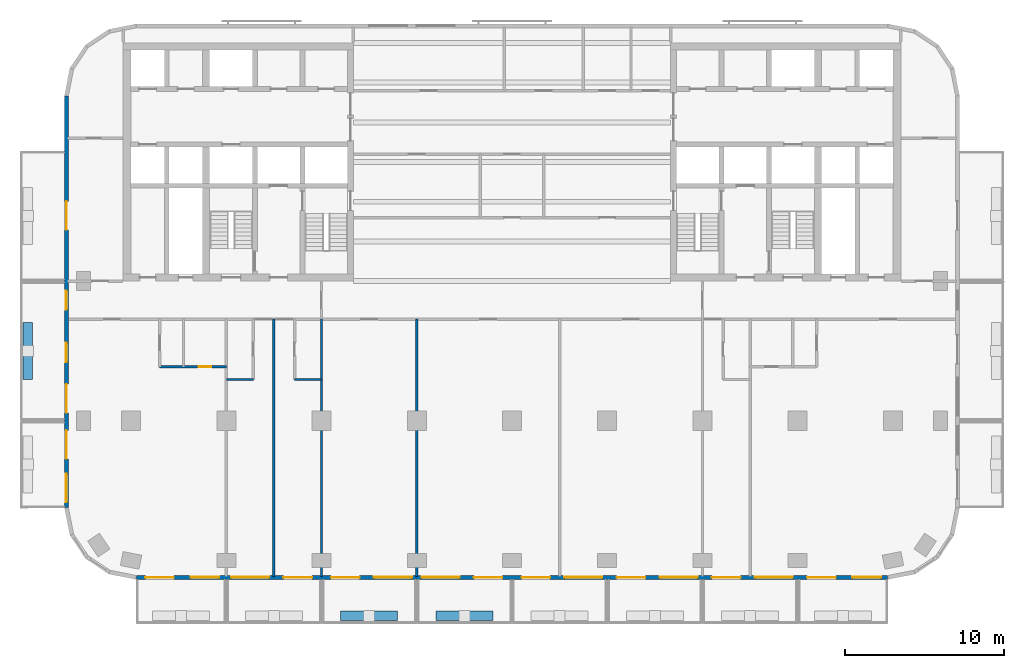
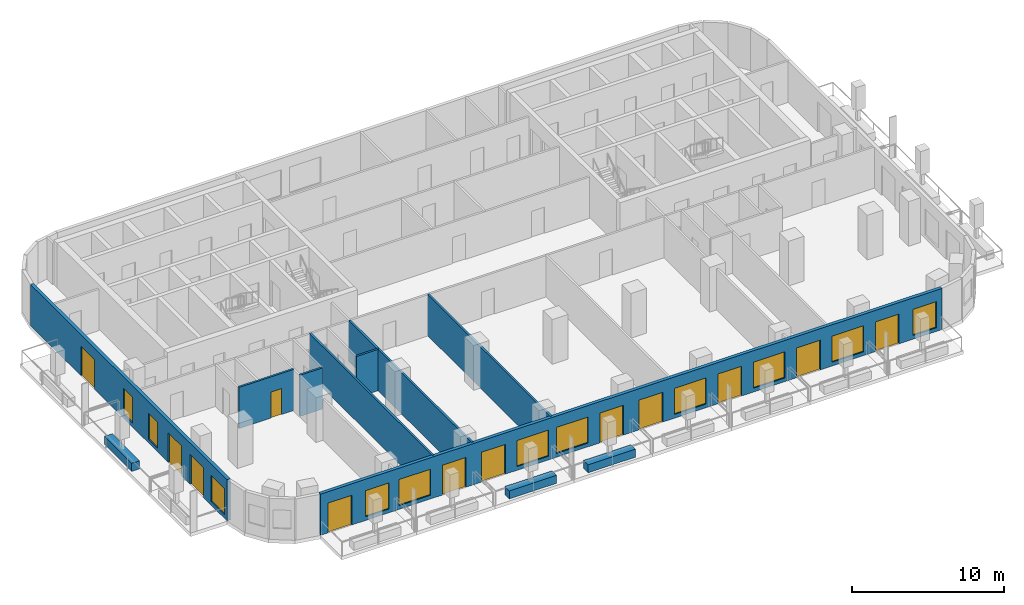
# One storey, part 2 of 11: 12 doors, 11 walls, 11 windows, 23 openings.
"""IFC4 building model written with IfcOpenShell, lengths in metres."""

import ifcopenshell
import ifcopenshell.guid

model = None  # the IFC model being written
_history = None  # IfcOwnerHistory: only IFC2X3 demands one
_inside = {}  # id of a spatial element -> (the spatial element, [elements in it])
_under = {}  # id of a project, library or spatial element -> (it, [spatial elements below it])
_declared = {}  # id of a project -> (the project, [libraries it declares])
_typed = {}  # id of a type object -> (the type object, [elements of that type])
_made_of = {}  # id of a material, layer set ... -> (it, [elements and type objects made of it])


def new_model(schema):
    """Start an empty IFC model of exactly this schema.

    Asked for "IFC4X3", IfcOpenShell would pick the latest addendum, in which some entities
    have other attributes; the version numbers below select the first issue.
    IFC2X3 requires an IfcOwnerHistory on every rooted entity: one is made here for all.
    """
    global model, _history
    if schema == "IFC4X3":
        model = ifcopenshell.file(schema_version=(4, 3, 0, 0))
    else:
        model = ifcopenshell.file(schema=schema)
    _inside.clear()
    _under.clear()
    _declared.clear()
    _typed.clear()
    _made_of.clear()
    _history = None
    if model.schema == "IFC2X3":
        org = make("IfcOrganization", Name="unknown")
        user = make(
            "IfcPersonAndOrganization",
            ThePerson=make("IfcPerson", FamilyName="unknown"),
            TheOrganization=org,
        )
        app = make(
            "IfcApplication",
            ApplicationDeveloper=org,
            Version="unknown",
            ApplicationFullName="unknown",
            ApplicationIdentifier="unknown",
        )
        _history = make(
            "IfcOwnerHistory",
            OwningUser=user,
            OwningApplication=app,
            ChangeAction="ADDED",
            CreationDate=0,
        )
    return model


def make(cls, **values):
    """One entity of the class cls with the attributes given. An attribute that is None is left unset."""
    return model.create_entity(
        cls, **{name: value for name, value in values.items() if value is not None}
    )


def rooted(cls, **values):
    """An entity with a GlobalId (a new one), such as an element, a storey or a relation."""
    return make(cls, GlobalId=ifcopenshell.guid.new(), OwnerHistory=_history, **values)


def si_unit(unit_type, name, prefix=None):
    """IfcSIUnit, for example si_unit("LENGTHUNIT", "METRE", prefix="MILLI")."""
    return make("IfcSIUnit", UnitType=unit_type, Prefix=prefix, Name=name)


def assignment(units):
    """IfcUnitAssignment: the units of a project."""
    return None if units is None else make("IfcUnitAssignment", Units=units)


def point(xyz):
    """IfcCartesianPoint."""
    return None if xyz is None else make("IfcCartesianPoint", Coordinates=xyz)


def direction(xyz):
    """IfcDirection."""
    return None if xyz is None else make("IfcDirection", DirectionRatios=xyz)


def frame(location, z_axis=None, x_axis=None):
    """IfcAxis2Placement3D, a coordinate frame: its origin and axes. An axis left out is left unset."""
    return make(
        "IfcAxis2Placement3D",
        Location=point(location),
        Axis=direction(z_axis),
        RefDirection=direction(x_axis),
    )


def frame_2d(location, x_axis=None):
    """IfcAxis2Placement2D, a coordinate frame in the plane: its origin and x axis."""
    return make(
        "IfcAxis2Placement2D", Location=point(location), RefDirection=direction(x_axis)
    )


def origin():
    """The frame at (0, 0, 0) with its axes left unset."""
    return frame((0.0, 0.0, 0.0))


def place(relative_to, where):
    """IfcLocalPlacement: puts the frame where relative to a parent placement (None: the world)."""
    return make(
        "IfcLocalPlacement", PlacementRelTo=relative_to, RelativePlacement=where
    )


def context(
    kind, dimensions, precision=None, world=None, true_north=None, identifier=None
):
    """IfcGeometricRepresentationContext, for example the 3D "Model" context."""
    return make(
        "IfcGeometricRepresentationContext",
        ContextIdentifier=identifier,
        ContextType=kind,
        CoordinateSpaceDimension=dimensions,
        Precision=precision,
        WorldCoordinateSystem=world,
        TrueNorth=true_north,
    )


def subcontext(parent, identifier, kind, view, scale=None):
    """IfcGeometricRepresentationSubContext, for example "Body" below "Model"."""
    return make(
        "IfcGeometricRepresentationSubContext",
        ContextIdentifier=identifier,
        ContextType=kind,
        ParentContext=parent,
        TargetScale=scale,
        TargetView=view,
    )


def project(units=None, contexts=None):
    """IfcProject with its units and contexts."""
    return rooted(
        "IfcProject",
        Name="project",
        RepresentationContexts=contexts,
        UnitsInContext=assignment(units),
    )


def spatial(cls, under=None, at=None, **own):
    """A site, building, storey or space (cls), placed at a placement, below another one or the project."""
    s = rooted(cls, ObjectPlacement=at, **own)
    if under is not None:
        _under.setdefault(under.id(), (under, []))[1].append(s)
    return s


def profile(cls, at=None, kind="AREA", **sizes):
    """A parametric profile (cls). Its sizes go by their IFC names, for example OverallWidth=200.0."""
    return make(cls, ProfileType=kind, Position=at, **sizes)


def rectangle(**sizes):
    """IfcRectangleProfileDef."""
    return profile("IfcRectangleProfileDef", **sizes)


def extrude(swept, where, along, depth):
    """IfcExtrudedAreaSolid: the profile swept, set in the frame where, extruded along a direction by depth."""
    return make(
        "IfcExtrudedAreaSolid",
        SweptArea=swept,
        Position=where,
        ExtrudedDirection=direction(along),
        Depth=depth,
    )


def shape(context_of_items, identifier, shape_type, items):
    """IfcShapeRepresentation: the items that make up one representation, for example the "Body"."""
    return make(
        "IfcShapeRepresentation",
        ContextOfItems=context_of_items,
        RepresentationIdentifier=identifier,
        RepresentationType=shape_type,
        Items=items,
    )


def material(Name=None, Category=None):
    """IfcMaterial."""
    return make("IfcMaterial", Name=Name, Category=Category)


def layer(
    of_material, thickness, ventilated=None, Name=None, Category=None, Priority=None
):
    """IfcMaterialLayer: one layer of a wall or slab, of a material (None: an air gap)."""
    return make(
        "IfcMaterialLayer",
        Material=of_material,
        LayerThickness=thickness,
        IsVentilated=ventilated,
        Name=Name,
        Category=Category,
        Priority=Priority,
    )


def layer_set(layers, Name=None):
    """IfcMaterialLayerSet."""
    return make("IfcMaterialLayerSet", MaterialLayers=layers, LayerSetName=Name)


def made_of(thing, what):
    """Note that an element or type object is made of a material, layer set ...; save() writes the relation."""
    if what is not None:
        _made_of.setdefault(what.id(), (what, []))[1].append(thing)
    return thing


def type_object(cls, material=None, **own):
    """A type object (cls), such as IfcWallType, which elements share."""
    return made_of(rooted(cls, **own), material)


def element(
    cls,
    number,
    at=None,
    inside=None,
    cuts=None,
    type_object=None,
    material=None,
    context=None,
    identifier="Body",
    shape_type=None,
    held_by="IfcProductDefinitionShape",
    body=None,
    shapes=None,
    **own,
):
    """One element of the class cls, such as IfcWall. Its Tag is "e" and its number.

    at: its placement. inside: the storey or other place that contains it. cuts: it is an
    opening in that element (IfcRelVoidsElement). A single representation is given by context,
    identifier, shape_type and body (its items); several are given by shapes. held_by: the class
    of the entity that holds the representations. save() writes the other relations.
    """
    e = rooted(cls, Tag="e%d" % number, ObjectPlacement=at, **own)
    if body is not None:
        shapes = [shape(context, identifier, shape_type, body)]
    if shapes is not None:
        e.Representation = make(held_by, Representations=shapes)
    if inside is not None:
        _inside.setdefault(inside.id(), (inside, []))[1].append(e)
    if cuts is not None:
        rooted(
            "IfcRelVoidsElement", RelatingBuildingElement=cuts, RelatedOpeningElement=e
        )
    if type_object is not None:
        _typed.setdefault(type_object.id(), (type_object, []))[1].append(e)
    return made_of(e, material)


def fill(opening, filler):
    """IfcRelFillsElement: the door or window that sits in an opening."""
    return rooted(
        "IfcRelFillsElement",
        RelatingOpeningElement=opening,
        RelatedBuildingElement=filler,
    )


def aggregate(whole, parts):
    """IfcRelAggregates: a whole, such as a stair, and the parts it consists of."""
    return rooted("IfcRelAggregates", RelatingObject=whole, RelatedObjects=parts)


def save(model, path):
    """Write the relations noted so far, then the file.

    IfcRelAggregates (storeys below a building ...), IfcRelContainedInSpatialStructure (elements
    in a storey), IfcRelDefinesByType, IfcRelAssociatesMaterial and IfcRelDeclares: one each for
    every whole, place, type object, material and project.
    """
    for whole, parts in _under.values():
        aggregate(whole, parts)
    for where, things in _inside.values():
        rooted(
            "IfcRelContainedInSpatialStructure",
            RelatedElements=things,
            RelatingStructure=where,
        )
    for kind, things in _typed.values():
        rooted("IfcRelDefinesByType", RelatedObjects=things, RelatingType=kind)
    for what, things in _made_of.values():
        rooted("IfcRelAssociatesMaterial", RelatedObjects=things, RelatingMaterial=what)
    for by, libraries in _declared.values():
        rooted("IfcRelDeclares", RelatingContext=by, RelatedDefinitions=libraries)
    model.write(path)


model = new_model("IFC4")

# Units and contexts
model_context = context("Model", 3, precision=1e-05, world=origin(), true_north=direction((0.0, 1.0)))
body_context = subcontext(model_context, "Body", "Model", "MODEL_VIEW")
ifc_project = project(units=[si_unit("LENGTHUNIT", "METRE"), si_unit("AREAUNIT", "SQUARE_METRE"), si_unit("VOLUMEUNIT", "CUBIC_METRE"), si_unit("PLANEANGLEUNIT", "RADIAN"), si_unit("MASSUNIT", "GRAM", prefix="KILO")], contexts=[model_context])

# Site, building, storey
site_placement = place(None, origin())
site = spatial("IfcSite", under=ifc_project, at=site_placement, CompositionType="ELEMENT")
building_placement = place(site_placement, origin())
building = spatial("IfcBuilding", under=site, at=building_placement, Name="Torana Hotel and Residences", CompositionType="ELEMENT")
storey_placement = place(building_placement, frame((0.0, 0.0, 141.60009765625)))
storey = spatial("IfcBuildingStorey", under=building, at=storey_placement, Name="L36", CompositionType="ELEMENT", Elevation=141.60009765625)

# Wall, openings, doors, windows
ifc_material_1 = material(Name="Black aluminium composite panel", Category="aluminium")
ifc_layer_1 = layer(ifc_material_1, 0.00390625, Name="Cladding", Category="cladding")
ifc_material_2 = material(Name="Ventilated air cavity")
ifc_layer_2 = layer(ifc_material_2, 0.0400390625, Name="Ventilated cavity", Category="cavity")
ifc_material_3 = material(Name="Mineral wool insulation")
ifc_layer_3 = layer(ifc_material_3, 0.090087890625, Name="Insulation", Category="insulation")
ifc_material_4 = material(Name="Steel S280GD", Category="steel")
ifc_layer_4 = layer(ifc_material_4, 0.092041015625, Name="Steel stud frame", Category="structure")
ifc_material_5 = material(Name="Fire rated plasterboard")
ifc_layer_5 = layer(ifc_material_5, 0.011962890625, Name="Inner board", Category="finish")
ifc_layer_6 = layer(ifc_material_5, 0.011962890625, Name="Second board", Category="finish")
ifc_layer_set_1 = layer_set([ifc_layer_1, ifc_layer_2, ifc_layer_3, ifc_layer_4, ifc_layer_5, ifc_layer_6], Name="EW1 EXTERNAL WALL BLACK METAL CLAD 250")
wall_type_1 = type_object("IfcWallType", Name="EW1 EXTERNAL WALL BLACK METAL CLAD 250", PredefinedType="SOLIDWALL", material=ifc_layer_set_1)
wall_1_placement = place(storey_placement, frame((-28.074951171875, -3.32470703125, 0.0), z_axis=(0.0, 0.0, 1.0), x_axis=(0.0, -1.0, 0.0)))
wall_1 = element("IfcWall", 1, at=wall_1_placement, inside=storey, type_object=wall_type_1, Name="External wall L36 e0.9", PredefinedType="SOLIDWALL", context=body_context, shape_type="SweptSolid", body=[
    extrude(rectangle(XDim=25.95068359375, YDim=0.25, at=frame_2d((12.975341796875, 0.0))), origin(), (0.0, 0.0, 1.0), 3.31982421875),
])
opening_1_placement = place(wall_1_placement, frame((6.650390625, 0.0, 0.0)))
opening_1 = element("IfcOpeningElement", 2, at=opening_1_placement, cuts=wall_1, Name="Opening L36-E12", PredefinedType="OPENING", context=body_context, shape_type="SweptSolid", body=[
    extrude(rectangle(XDim=1.800048828125, YDim=2.39990234375, at=frame_2d((0.89990234375, 1.199951171875))), frame((0.0, 0.135009765625, 0.0), z_axis=(0.0, -1.0, 0.0), x_axis=(1.0, 0.0, 0.0)), (0.0, 0.0, 1.0), 0.27001953125),
])
opening_2_placement = place(wall_1_placement, frame((12.275390625, 0.0, 0.300048828125)))
opening_2 = element("IfcOpeningElement", 3, at=opening_2_placement, cuts=wall_1, Name="Opening W7", PredefinedType="OPENING", context=body_context, shape_type="SweptSolid", body=[
    extrude(rectangle(XDim=1.199951171875, YDim=2.10009765625, at=frame_2d((0.60009765625, 1.050048828125))), frame((0.0, 0.135009765625, 0.0), z_axis=(0.0, -1.0, 0.0), x_axis=(1.0, 0.0, 0.0)), (0.0, 0.0, 1.0), 0.27001953125),
])
opening_3_placement = place(wall_1_placement, frame((15.575439453125, 0.0, 0.300048828125)))
opening_3 = element("IfcOpeningElement", 4, at=opening_3_placement, cuts=wall_1, Name="Opening W7", PredefinedType="OPENING", context=body_context, shape_type="SweptSolid", body=[
    extrude(rectangle(XDim=1.199951171875, YDim=2.10009765625, at=frame_2d((0.60009765625, 1.050048828125))), frame((0.0, 0.135009765625, 0.0), z_axis=(0.0, -1.0, 0.0), x_axis=(1.0, 0.0, 0.0)), (0.0, 0.0, 1.0), 0.27001953125),
])
opening_4_placement = place(wall_1_placement, frame((18.17529296875, 0.0, 0.0)))
opening_4 = element("IfcOpeningElement", 5, at=opening_4_placement, cuts=wall_1, Name="Opening L36-E13", PredefinedType="OPENING", context=body_context, shape_type="SweptSolid", body=[
    extrude(rectangle(XDim=1.800048828125, YDim=2.39990234375, at=frame_2d((0.89990234375, 1.199951171875))), frame((0.0, 0.135009765625, 0.0), z_axis=(0.0, -1.0, 0.0), x_axis=(1.0, 0.0, 0.0)), (0.0, 0.0, 1.0), 0.27001953125),
])
opening_5_placement = place(wall_1_placement, frame((21.075439453125, 0.0, 0.0)))
opening_5 = element("IfcOpeningElement", 6, at=opening_5_placement, cuts=wall_1, Name="Opening L36-E14", PredefinedType="OPENING", context=body_context, shape_type="SweptSolid", body=[
    extrude(rectangle(XDim=1.800048828125, YDim=2.39990234375, at=frame_2d((0.89990234375, 1.199951171875))), frame((0.0, 0.135009765625, 0.0), z_axis=(0.0, -1.0, 0.0), x_axis=(1.0, 0.0, 0.0)), (0.0, 0.0, 1.0), 0.27001953125),
])
opening_6_placement = place(wall_1_placement, frame((23.825439453125, 0.0, 0.300048828125)))
opening_6 = element("IfcOpeningElement", 7, at=opening_6_placement, cuts=wall_1, Name="Opening W2", PredefinedType="OPENING", context=body_context, shape_type="SweptSolid", body=[
    extrude(rectangle(XDim=1.800048828125, YDim=2.10009765625, at=frame_2d((0.89990234375, 1.050048828125))), frame((0.0, 0.135009765625, 0.0), z_axis=(0.0, -1.0, 0.0), x_axis=(1.0, 0.0, 0.0)), (0.0, 0.0, 1.0), 0.27001953125),
])
ifc_material_6 = material(Name="Dark glass in black aluminium frame", Category="aluminium")
door_type_1 = type_object("IfcDoorType", Name="DB1 BALCONY DOOR 1800x2400", OperationType="DOUBLE_DOOR_SINGLE_SWING", PredefinedType="DOOR", material=ifc_material_6)
door_1_placement = place(opening_1_placement, origin())
door_1 = element("IfcDoor", 8, at=door_1_placement, inside=storey, type_object=door_type_1, Name="Balcony door L36", OperationType="DOUBLE_DOOR_SINGLE_SWING", OverallHeight=2.39990234375, OverallWidth=1.800048828125, PredefinedType="DOOR", context=body_context, shape_type="SweptSolid", body=[
    extrude(rectangle(XDim=1.800048828125, YDim=2.39990234375, at=frame_2d((0.89990234375, 1.199951171875))), frame((0.0, 0.02490234375, 0.0), z_axis=(0.0, -1.0, 0.0), x_axis=(1.0, 0.0, 0.0)), (0.0, 0.0, 1.0), 0.050048828125),
])
fill(opening_1, door_1)
door_2_placement = place(opening_4_placement, frame((0.89990234375, 0.0, 0.0), z_axis=(0.0, 0.0, 1.0), x_axis=(-1.0, 0.0, 0.0)))
door_2 = element("IfcDoor", 9, at=door_2_placement, inside=storey, type_object=door_type_1, Name="Balcony door L36", OperationType="DOUBLE_DOOR_SINGLE_SWING", OverallHeight=2.39990234375, OverallWidth=1.800048828125, PredefinedType="DOOR", context=body_context, shape_type="SweptSolid", body=[
    extrude(rectangle(XDim=1.800048828125, YDim=2.39990234375, at=frame_2d((0.0, 1.199951171875))), frame((0.0, -0.02490234375, 0.0), z_axis=(0.0, 1.0, 0.0), x_axis=(-1.0, 0.0, 0.0)), (0.0, 0.0, 1.0), 0.050048828125),
])
fill(opening_4, door_2)
door_3_placement = place(opening_5_placement, origin())
door_3 = element("IfcDoor", 10, at=door_3_placement, inside=storey, type_object=door_type_1, Name="Balcony door L36", OperationType="DOUBLE_DOOR_SINGLE_SWING", OverallHeight=2.39990234375, OverallWidth=1.800048828125, PredefinedType="DOOR", context=body_context, shape_type="SweptSolid", body=[
    extrude(rectangle(XDim=1.800048828125, YDim=2.39990234375, at=frame_2d((0.89990234375, 1.199951171875))), frame((0.0, 0.02490234375, 0.0), z_axis=(0.0, -1.0, 0.0), x_axis=(1.0, 0.0, 0.0)), (0.0, 0.0, 1.0), 0.050048828125),
])
fill(opening_5, door_3)
ifc_material_7 = material(Name="Dark glass in black aluminium frame", Category="aluminium")
window_type_1 = type_object("IfcWindowType", Name="W2 HOTEL ROOM WINDOW NARROW 1800x2100", PartitioningType="SINGLE_PANEL", PredefinedType="WINDOW", material=ifc_material_7)
window_1_placement = place(opening_6_placement, origin())
window_1 = element("IfcWindow", 11, at=window_1_placement, inside=storey, type_object=window_type_1, Name="Window L36", OverallHeight=2.10009765625, OverallWidth=1.800048828125, PartitioningType="SINGLE_PANEL", PredefinedType="WINDOW", context=body_context, shape_type="SweptSolid", body=[
    extrude(rectangle(XDim=1.800048828125, YDim=2.10009765625, at=frame_2d((0.89990234375, 1.050048828125))), frame((0.0, 0.030029296875, 0.0), z_axis=(0.0, -1.0, 0.0), x_axis=(1.0, 0.0, 0.0)), (0.0, 0.0, 1.0), 0.06005859375),
])
fill(opening_6, window_1)
ifc_material_8 = material(Name="Dark glass in black aluminium frame", Category="aluminium")
window_type_2 = type_object("IfcWindowType", Name="W7 HOTEL CORRIDOR WINDOW 1200x2100", PartitioningType="SINGLE_PANEL", PredefinedType="WINDOW", material=ifc_material_8)
window_2_placement = place(opening_2_placement, origin())
window_2 = element("IfcWindow", 12, at=window_2_placement, inside=storey, type_object=window_type_2, Name="Window L36", OverallHeight=2.10009765625, OverallWidth=1.199951171875, PartitioningType="SINGLE_PANEL", PredefinedType="WINDOW", context=body_context, shape_type="SweptSolid", body=[
    extrude(rectangle(XDim=1.199951171875, YDim=2.10009765625, at=frame_2d((0.60009765625, 1.050048828125))), frame((0.0, 0.030029296875, 0.0), z_axis=(0.0, -1.0, 0.0), x_axis=(1.0, 0.0, 0.0)), (0.0, 0.0, 1.0), 0.06005859375),
])
fill(opening_2, window_2)
window_3_placement = place(opening_3_placement, origin())
window_3 = element("IfcWindow", 13, at=window_3_placement, inside=storey, type_object=window_type_2, Name="Window L36", OverallHeight=2.10009765625, OverallWidth=1.199951171875, PartitioningType="SINGLE_PANEL", PredefinedType="WINDOW", context=body_context, shape_type="SweptSolid", body=[
    extrude(rectangle(XDim=1.199951171875, YDim=2.10009765625, at=frame_2d((0.60009765625, 1.050048828125))), frame((0.0, 0.030029296875, 0.0), z_axis=(0.0, -1.0, 0.0), x_axis=(1.0, 0.0, 0.0)), (0.0, 0.0, 1.0), 0.06005859375),
])
fill(opening_3, window_3)

wall_2_placement = place(storey_placement, frame((-23.67529296875, -33.675048828125, 0.0), z_axis=(0.0, 0.0, 1.0), x_axis=(1.0, 0.0, 0.0)))
wall_2 = element("IfcWall", 14, at=wall_2_placement, inside=storey, type_object=wall_type_1, Name="External wall L36 e0.14", PredefinedType="SOLIDWALL", context=body_context, shape_type="SweptSolid", body=[
    extrude(rectangle(XDim=47.3505859375, YDim=0.25, at=frame_2d((23.67529296875, 0.0))), origin(), (0.0, 0.0, 1.0), 3.31982421875),
])
opening_7_placement = place(wall_2_placement, frame((0.575439453125, 0.0, 0.0)))
opening_7 = element("IfcOpeningElement", 15, at=opening_7_placement, cuts=wall_2, Name="Opening L36-E01", PredefinedType="OPENING", context=body_context, shape_type="SweptSolid", body=[
    extrude(rectangle(XDim=1.800048828125, YDim=2.39990234375, at=frame_2d((0.89990234375, 1.199951171875))), frame((0.0, 0.135009765625, 0.0), z_axis=(0.0, -1.0, 0.0), x_axis=(1.0, 0.0, 0.0)), (0.0, 0.0, 1.0), 0.27001953125),
])
opening_8_placement = place(wall_2_placement, frame((3.42529296875, 0.0, 0.300048828125)))
opening_8 = element("IfcOpeningElement", 16, at=opening_8_placement, cuts=wall_2, Name="Opening W2", PredefinedType="OPENING", context=body_context, shape_type="SweptSolid", body=[
    extrude(rectangle(XDim=1.800048828125, YDim=2.10009765625, at=frame_2d((0.89990234375, 1.050048828125))), frame((0.0, 0.135009765625, 0.0), z_axis=(0.0, -1.0, 0.0), x_axis=(1.0, 0.0, 0.0)), (0.0, 0.0, 1.0), 0.27001953125),
])
opening_9_placement = place(wall_2_placement, frame((5.975341796875, 0.0, 0.300048828125)))
opening_9 = element("IfcOpeningElement", 17, at=opening_9_placement, cuts=wall_2, Name="Opening W1", PredefinedType="OPENING", context=body_context, shape_type="SweptSolid", body=[
    extrude(rectangle(XDim=2.39990234375, YDim=2.10009765625, at=frame_2d((1.199951171875, 1.050048828125))), frame((0.0, 0.135009765625, 0.0), z_axis=(0.0, -1.0, 0.0), x_axis=(1.0, 0.0, 0.0)), (0.0, 0.0, 1.0), 0.27001953125),
])
opening_10_placement = place(wall_2_placement, frame((9.275390625, 0.0, 0.0)))
opening_10 = element("IfcOpeningElement", 18, at=opening_10_placement, cuts=wall_2, Name="Opening L36-E02", PredefinedType="OPENING", context=body_context, shape_type="SweptSolid", body=[
    extrude(rectangle(XDim=1.800048828125, YDim=2.39990234375, at=frame_2d((0.89990234375, 1.199951171875))), frame((0.0, 0.135009765625, 0.0), z_axis=(0.0, -1.0, 0.0), x_axis=(1.0, 0.0, 0.0)), (0.0, 0.0, 1.0), 0.27001953125),
])
opening_11_placement = place(wall_2_placement, frame((12.275390625, 0.0, 0.0)))
opening_11 = element("IfcOpeningElement", 19, at=opening_11_placement, cuts=wall_2, Name="Opening L36-E03", PredefinedType="OPENING", context=body_context, shape_type="SweptSolid", body=[
    extrude(rectangle(XDim=1.800048828125, YDim=2.39990234375, at=frame_2d((0.89990234375, 1.199951171875))), frame((0.0, 0.135009765625, 0.0), z_axis=(0.0, -1.0, 0.0), x_axis=(1.0, 0.0, 0.0)), (0.0, 0.0, 1.0), 0.27001953125),
])
opening_12_placement = place(wall_2_placement, frame((14.975341796875, 0.0, 0.300048828125)))
opening_12 = element("IfcOpeningElement", 20, at=opening_12_placement, cuts=wall_2, Name="Opening W1", PredefinedType="OPENING", context=body_context, shape_type="SweptSolid", body=[
    extrude(rectangle(XDim=2.39990234375, YDim=2.10009765625, at=frame_2d((1.199951171875, 1.050048828125))), frame((0.0, 0.135009765625, 0.0), z_axis=(0.0, -1.0, 0.0), x_axis=(1.0, 0.0, 0.0)), (0.0, 0.0, 1.0), 0.27001953125),
])
opening_13_placement = place(wall_2_placement, frame((17.975341796875, 0.0, 0.300048828125)))
opening_13 = element("IfcOpeningElement", 21, at=opening_13_placement, cuts=wall_2, Name="Opening W1", PredefinedType="OPENING", context=body_context, shape_type="SweptSolid", body=[
    extrude(rectangle(XDim=2.39990234375, YDim=2.10009765625, at=frame_2d((1.199951171875, 1.050048828125))), frame((0.0, 0.135009765625, 0.0), z_axis=(0.0, -1.0, 0.0), x_axis=(1.0, 0.0, 0.0)), (0.0, 0.0, 1.0), 0.27001953125),
])
opening_14_placement = place(wall_2_placement, frame((21.275390625, 0.0, 0.0)))
opening_14 = element("IfcOpeningElement", 22, at=opening_14_placement, cuts=wall_2, Name="Opening L36-E04", PredefinedType="OPENING", context=body_context, shape_type="SweptSolid", body=[
    extrude(rectangle(XDim=1.800048828125, YDim=2.39990234375, at=frame_2d((0.89990234375, 1.199951171875))), frame((0.0, 0.135009765625, 0.0), z_axis=(0.0, -1.0, 0.0), x_axis=(1.0, 0.0, 0.0)), (0.0, 0.0, 1.0), 0.27001953125),
])
opening_15_placement = place(wall_2_placement, frame((24.275390625, 0.0, 0.0)))
opening_15 = element("IfcOpeningElement", 23, at=opening_15_placement, cuts=wall_2, Name="Opening L36-E05", PredefinedType="OPENING", context=body_context, shape_type="SweptSolid", body=[
    extrude(rectangle(XDim=1.800048828125, YDim=2.39990234375, at=frame_2d((0.89990234375, 1.199951171875))), frame((0.0, 0.135009765625, 0.0), z_axis=(0.0, -1.0, 0.0), x_axis=(1.0, 0.0, 0.0)), (0.0, 0.0, 1.0), 0.27001953125),
])
opening_16_placement = place(wall_2_placement, frame((26.975341796875, 0.0, 0.300048828125)))
opening_16 = element("IfcOpeningElement", 24, at=opening_16_placement, cuts=wall_2, Name="Opening W1", PredefinedType="OPENING", context=body_context, shape_type="SweptSolid", body=[
    extrude(rectangle(XDim=2.39990234375, YDim=2.10009765625, at=frame_2d((1.199951171875, 1.050048828125))), frame((0.0, 0.135009765625, 0.0), z_axis=(0.0, -1.0, 0.0), x_axis=(1.0, 0.0, 0.0)), (0.0, 0.0, 1.0), 0.27001953125),
])
opening_17_placement = place(wall_2_placement, frame((30.275390625, 0.0, 0.0)))
opening_17 = element("IfcOpeningElement", 25, at=opening_17_placement, cuts=wall_2, Name="Opening L36-E06", PredefinedType="OPENING", context=body_context, shape_type="SweptSolid", body=[
    extrude(rectangle(XDim=1.800048828125, YDim=2.39990234375, at=frame_2d((0.89990234375, 1.199951171875))), frame((0.0, 0.135009765625, 0.0), z_axis=(0.0, -1.0, 0.0), x_axis=(1.0, 0.0, 0.0)), (0.0, 0.0, 1.0), 0.27001953125),
])
opening_18_placement = place(wall_2_placement, frame((32.975341796875, 0.0, 0.300048828125)))
opening_18 = element("IfcOpeningElement", 26, at=opening_18_placement, cuts=wall_2, Name="Opening W1", PredefinedType="OPENING", context=body_context, shape_type="SweptSolid", body=[
    extrude(rectangle(XDim=2.39990234375, YDim=2.10009765625, at=frame_2d((1.199951171875, 1.050048828125))), frame((0.0, 0.135009765625, 0.0), z_axis=(0.0, -1.0, 0.0), x_axis=(1.0, 0.0, 0.0)), (0.0, 0.0, 1.0), 0.27001953125),
])
opening_19_placement = place(wall_2_placement, frame((36.275390625, 0.0, 0.0)))
opening_19 = element("IfcOpeningElement", 27, at=opening_19_placement, cuts=wall_2, Name="Opening L36-E07", PredefinedType="OPENING", context=body_context, shape_type="SweptSolid", body=[
    extrude(rectangle(XDim=1.800048828125, YDim=2.39990234375, at=frame_2d((0.89990234375, 1.199951171875))), frame((0.0, 0.135009765625, 0.0), z_axis=(0.0, -1.0, 0.0), x_axis=(1.0, 0.0, 0.0)), (0.0, 0.0, 1.0), 0.27001953125),
])
opening_20_placement = place(wall_2_placement, frame((38.975341796875, 0.0, 0.300048828125)))
opening_20 = element("IfcOpeningElement", 28, at=opening_20_placement, cuts=wall_2, Name="Opening W1", PredefinedType="OPENING", context=body_context, shape_type="SweptSolid", body=[
    extrude(rectangle(XDim=2.39990234375, YDim=2.10009765625, at=frame_2d((1.199951171875, 1.050048828125))), frame((0.0, 0.135009765625, 0.0), z_axis=(0.0, -1.0, 0.0), x_axis=(1.0, 0.0, 0.0)), (0.0, 0.0, 1.0), 0.27001953125),
])
opening_21_placement = place(wall_2_placement, frame((42.275390625, 0.0, 0.0)))
opening_21 = element("IfcOpeningElement", 29, at=opening_21_placement, cuts=wall_2, Name="Opening L36-E08", PredefinedType="OPENING", context=body_context, shape_type="SweptSolid", body=[
    extrude(rectangle(XDim=1.800048828125, YDim=2.39990234375, at=frame_2d((0.89990234375, 1.199951171875))), frame((0.0, 0.135009765625, 0.0), z_axis=(0.0, -1.0, 0.0), x_axis=(1.0, 0.0, 0.0)), (0.0, 0.0, 1.0), 0.27001953125),
])
opening_22_placement = place(wall_2_placement, frame((45.12548828125, 0.0, 0.300048828125)))
opening_22 = element("IfcOpeningElement", 30, at=opening_22_placement, cuts=wall_2, Name="Opening W2", PredefinedType="OPENING", context=body_context, shape_type="SweptSolid", body=[
    extrude(rectangle(XDim=1.800048828125, YDim=2.10009765625, at=frame_2d((0.89990234375, 1.050048828125))), frame((0.0, 0.135009765625, 0.0), z_axis=(0.0, -1.0, 0.0), x_axis=(1.0, 0.0, 0.0)), (0.0, 0.0, 1.0), 0.27001953125),
])
door_4_placement = place(opening_7_placement, origin())
door_4 = element("IfcDoor", 31, at=door_4_placement, inside=storey, type_object=door_type_1, Name="Balcony door L36", OperationType="DOUBLE_DOOR_SINGLE_SWING", OverallHeight=2.39990234375, OverallWidth=1.800048828125, PredefinedType="DOOR", context=body_context, shape_type="SweptSolid", body=[
    extrude(rectangle(XDim=1.800048828125, YDim=2.39990234375, at=frame_2d((0.89990234375, 1.199951171875))), frame((0.0, 0.02490234375, 0.0), z_axis=(0.0, -1.0, 0.0), x_axis=(1.0, 0.0, 0.0)), (0.0, 0.0, 1.0), 0.050048828125),
])
fill(opening_7, door_4)
door_5_placement = place(opening_10_placement, origin())
door_5 = element("IfcDoor", 32, at=door_5_placement, inside=storey, type_object=door_type_1, Name="Balcony door L36", OperationType="DOUBLE_DOOR_SINGLE_SWING", OverallHeight=2.39990234375, OverallWidth=1.800048828125, PredefinedType="DOOR", context=body_context, shape_type="SweptSolid", body=[
    extrude(rectangle(XDim=1.800048828125, YDim=2.39990234375, at=frame_2d((0.89990234375, 1.199951171875))), frame((0.0, 0.02490234375, 0.0), z_axis=(0.0, -1.0, 0.0), x_axis=(1.0, 0.0, 0.0)), (0.0, 0.0, 1.0), 0.050048828125),
])
fill(opening_10, door_5)
door_6_placement = place(opening_11_placement, origin())
door_6 = element("IfcDoor", 33, at=door_6_placement, inside=storey, type_object=door_type_1, Name="Balcony door L36", OperationType="DOUBLE_DOOR_SINGLE_SWING", OverallHeight=2.39990234375, OverallWidth=1.800048828125, PredefinedType="DOOR", context=body_context, shape_type="SweptSolid", body=[
    extrude(rectangle(XDim=1.800048828125, YDim=2.39990234375, at=frame_2d((0.89990234375, 1.199951171875))), frame((0.0, 0.02490234375, 0.0), z_axis=(0.0, -1.0, 0.0), x_axis=(1.0, 0.0, 0.0)), (0.0, 0.0, 1.0), 0.050048828125),
])
fill(opening_11, door_6)
door_7_placement = place(opening_14_placement, origin())
door_7 = element("IfcDoor", 34, at=door_7_placement, inside=storey, type_object=door_type_1, Name="Balcony door L36", OperationType="DOUBLE_DOOR_SINGLE_SWING", OverallHeight=2.39990234375, OverallWidth=1.800048828125, PredefinedType="DOOR", context=body_context, shape_type="SweptSolid", body=[
    extrude(rectangle(XDim=1.800048828125, YDim=2.39990234375, at=frame_2d((0.89990234375, 1.199951171875))), frame((0.0, 0.02490234375, 0.0), z_axis=(0.0, -1.0, 0.0), x_axis=(1.0, 0.0, 0.0)), (0.0, 0.0, 1.0), 0.050048828125),
])
fill(opening_14, door_7)
door_8_placement = place(opening_15_placement, origin())
door_8 = element("IfcDoor", 35, at=door_8_placement, inside=storey, type_object=door_type_1, Name="Balcony door L36", OperationType="DOUBLE_DOOR_SINGLE_SWING", OverallHeight=2.39990234375, OverallWidth=1.800048828125, PredefinedType="DOOR", context=body_context, shape_type="SweptSolid", body=[
    extrude(rectangle(XDim=1.800048828125, YDim=2.39990234375, at=frame_2d((0.89990234375, 1.199951171875))), frame((0.0, 0.02490234375, 0.0), z_axis=(0.0, -1.0, 0.0), x_axis=(1.0, 0.0, 0.0)), (0.0, 0.0, 1.0), 0.050048828125),
])
fill(opening_15, door_8)
door_9_placement = place(opening_17_placement, origin())
door_9 = element("IfcDoor", 36, at=door_9_placement, inside=storey, type_object=door_type_1, Name="Balcony door L36", OperationType="DOUBLE_DOOR_SINGLE_SWING", OverallHeight=2.39990234375, OverallWidth=1.800048828125, PredefinedType="DOOR", context=body_context, shape_type="SweptSolid", body=[
    extrude(rectangle(XDim=1.800048828125, YDim=2.39990234375, at=frame_2d((0.89990234375, 1.199951171875))), frame((0.0, 0.02490234375, 0.0), z_axis=(0.0, -1.0, 0.0), x_axis=(1.0, 0.0, 0.0)), (0.0, 0.0, 1.0), 0.050048828125),
])
fill(opening_17, door_9)
door_10_placement = place(opening_19_placement, origin())
door_10 = element("IfcDoor", 37, at=door_10_placement, inside=storey, type_object=door_type_1, Name="Balcony door L36", OperationType="DOUBLE_DOOR_SINGLE_SWING", OverallHeight=2.39990234375, OverallWidth=1.800048828125, PredefinedType="DOOR", context=body_context, shape_type="SweptSolid", body=[
    extrude(rectangle(XDim=1.800048828125, YDim=2.39990234375, at=frame_2d((0.89990234375, 1.199951171875))), frame((0.0, 0.02490234375, 0.0), z_axis=(0.0, -1.0, 0.0), x_axis=(1.0, 0.0, 0.0)), (0.0, 0.0, 1.0), 0.050048828125),
])
fill(opening_19, door_10)
door_11_placement = place(opening_21_placement, origin())
door_11 = element("IfcDoor", 38, at=door_11_placement, inside=storey, type_object=door_type_1, Name="Balcony door L36", OperationType="DOUBLE_DOOR_SINGLE_SWING", OverallHeight=2.39990234375, OverallWidth=1.800048828125, PredefinedType="DOOR", context=body_context, shape_type="SweptSolid", body=[
    extrude(rectangle(XDim=1.800048828125, YDim=2.39990234375, at=frame_2d((0.89990234375, 1.199951171875))), frame((0.0, 0.02490234375, 0.0), z_axis=(0.0, -1.0, 0.0), x_axis=(1.0, 0.0, 0.0)), (0.0, 0.0, 1.0), 0.050048828125),
])
fill(opening_21, door_11)
ifc_material_9 = material(Name="Dark glass in black aluminium frame", Category="aluminium")
window_type_3 = type_object("IfcWindowType", Name="W1 HOTEL ROOM WINDOW 2400x2100", PartitioningType="SINGLE_PANEL", PredefinedType="WINDOW", material=ifc_material_9)
window_4_placement = place(opening_9_placement, origin())
window_4 = element("IfcWindow", 39, at=window_4_placement, inside=storey, type_object=window_type_3, Name="Window L36", OverallHeight=2.10009765625, OverallWidth=2.39990234375, PartitioningType="SINGLE_PANEL", PredefinedType="WINDOW", context=body_context, shape_type="SweptSolid", body=[
    extrude(rectangle(XDim=2.39990234375, YDim=2.10009765625, at=frame_2d((1.199951171875, 1.050048828125))), frame((0.0, 0.030029296875, 0.0), z_axis=(0.0, -1.0, 0.0), x_axis=(1.0, 0.0, 0.0)), (0.0, 0.0, 1.0), 0.06005859375),
])
fill(opening_9, window_4)
window_5_placement = place(opening_12_placement, origin())
window_5 = element("IfcWindow", 40, at=window_5_placement, inside=storey, type_object=window_type_3, Name="Window L36", OverallHeight=2.10009765625, OverallWidth=2.39990234375, PartitioningType="SINGLE_PANEL", PredefinedType="WINDOW", context=body_context, shape_type="SweptSolid", body=[
    extrude(rectangle(XDim=2.39990234375, YDim=2.10009765625, at=frame_2d((1.199951171875, 1.050048828125))), frame((0.0, 0.030029296875, 0.0), z_axis=(0.0, -1.0, 0.0), x_axis=(1.0, 0.0, 0.0)), (0.0, 0.0, 1.0), 0.06005859375),
])
fill(opening_12, window_5)
window_6_placement = place(opening_13_placement, origin())
window_6 = element("IfcWindow", 41, at=window_6_placement, inside=storey, type_object=window_type_3, Name="Window L36", OverallHeight=2.10009765625, OverallWidth=2.39990234375, PartitioningType="SINGLE_PANEL", PredefinedType="WINDOW", context=body_context, shape_type="SweptSolid", body=[
    extrude(rectangle(XDim=2.39990234375, YDim=2.10009765625, at=frame_2d((1.199951171875, 1.050048828125))), frame((0.0, 0.030029296875, 0.0), z_axis=(0.0, -1.0, 0.0), x_axis=(1.0, 0.0, 0.0)), (0.0, 0.0, 1.0), 0.06005859375),
])
fill(opening_13, window_6)
window_7_placement = place(opening_16_placement, origin())
window_7 = element("IfcWindow", 42, at=window_7_placement, inside=storey, type_object=window_type_3, Name="Window L36", OverallHeight=2.10009765625, OverallWidth=2.39990234375, PartitioningType="SINGLE_PANEL", PredefinedType="WINDOW", context=body_context, shape_type="SweptSolid", body=[
    extrude(rectangle(XDim=2.39990234375, YDim=2.10009765625, at=frame_2d((1.199951171875, 1.050048828125))), frame((0.0, 0.030029296875, 0.0), z_axis=(0.0, -1.0, 0.0), x_axis=(1.0, 0.0, 0.0)), (0.0, 0.0, 1.0), 0.06005859375),
])
fill(opening_16, window_7)
window_8_placement = place(opening_18_placement, origin())
window_8 = element("IfcWindow", 43, at=window_8_placement, inside=storey, type_object=window_type_3, Name="Window L36", OverallHeight=2.10009765625, OverallWidth=2.39990234375, PartitioningType="SINGLE_PANEL", PredefinedType="WINDOW", context=body_context, shape_type="SweptSolid", body=[
    extrude(rectangle(XDim=2.39990234375, YDim=2.10009765625, at=frame_2d((1.199951171875, 1.050048828125))), frame((0.0, 0.030029296875, 0.0), z_axis=(0.0, -1.0, 0.0), x_axis=(1.0, 0.0, 0.0)), (0.0, 0.0, 1.0), 0.06005859375),
])
fill(opening_18, window_8)
window_9_placement = place(opening_20_placement, origin())
window_9 = element("IfcWindow", 44, at=window_9_placement, inside=storey, type_object=window_type_3, Name="Window L36", OverallHeight=2.10009765625, OverallWidth=2.39990234375, PartitioningType="SINGLE_PANEL", PredefinedType="WINDOW", context=body_context, shape_type="SweptSolid", body=[
    extrude(rectangle(XDim=2.39990234375, YDim=2.10009765625, at=frame_2d((1.199951171875, 1.050048828125))), frame((0.0, 0.030029296875, 0.0), z_axis=(0.0, -1.0, 0.0), x_axis=(1.0, 0.0, 0.0)), (0.0, 0.0, 1.0), 0.06005859375),
])
fill(opening_20, window_9)
window_10_placement = place(opening_8_placement, origin())
window_10 = element("IfcWindow", 45, at=window_10_placement, inside=storey, type_object=window_type_1, Name="Window L36", OverallHeight=2.10009765625, OverallWidth=1.800048828125, PartitioningType="SINGLE_PANEL", PredefinedType="WINDOW", context=body_context, shape_type="SweptSolid", body=[
    extrude(rectangle(XDim=1.800048828125, YDim=2.10009765625, at=frame_2d((0.89990234375, 1.050048828125))), frame((0.0, 0.030029296875, 0.0), z_axis=(0.0, -1.0, 0.0), x_axis=(1.0, 0.0, 0.0)), (0.0, 0.0, 1.0), 0.06005859375),
])
fill(opening_8, window_10)
window_11_placement = place(opening_22_placement, origin())
window_11 = element("IfcWindow", 46, at=window_11_placement, inside=storey, type_object=window_type_1, Name="Window L36", OverallHeight=2.10009765625, OverallWidth=1.800048828125, PartitioningType="SINGLE_PANEL", PredefinedType="WINDOW", context=body_context, shape_type="SweptSolid", body=[
    extrude(rectangle(XDim=1.800048828125, YDim=2.10009765625, at=frame_2d((0.89990234375, 1.050048828125))), frame((0.0, 0.030029296875, 0.0), z_axis=(0.0, -1.0, 0.0), x_axis=(1.0, 0.0, 0.0)), (0.0, 0.0, 1.0), 0.06005859375),
])
fill(opening_22, window_11)

# Walls
ifc_material_10 = material(Name="Gypsum plasterboard")
ifc_layer_7 = layer(ifc_material_10, 0.012451171875, Name="Plasterboard", Category="finish")
ifc_layer_8 = layer(ifc_material_10, 0.012451171875, Name="Plasterboard", Category="finish")
ifc_layer_9 = layer(ifc_material_4, 0.10009765625, Name="Steel studs with mineral wool", Category="insulation")
ifc_layer_10 = layer(ifc_material_10, 0.012451171875, Name="Plasterboard", Category="finish")
ifc_layer_11 = layer(ifc_material_10, 0.012451171875, Name="Plasterboard", Category="finish")
ifc_layer_set_2 = layer_set([ifc_layer_7, ifc_layer_8, ifc_layer_9, ifc_layer_10, ifc_layer_11], Name="PARTITION 150 PLASTERBOARD")
wall_type_2 = type_object("IfcWallType", Name="PARTITION 150 PLASTERBOARD", PredefinedType="PARTITIONING", material=ifc_layer_set_2)
for number, where, z_axis, x_axis, name in (
    (47, (-6.0, -33.6201171875, 0.0), (0.0, 0.0, 1.0), (0.0, 1.0, 0.0), "Partition L36"),
    (48, (-12.0, -33.6201171875, 0.0), (0.0, 0.0, 1.0), (0.0, 1.0, 0.0), "Partition L36"),
    (49, (-15.0, -33.6201171875, 0.0), (0.0, 0.0, 1.0), (0.0, 1.0, 0.0), "Partition L36"),
):
    element("IfcWall", number, at=place(storey_placement, frame(where, z_axis=z_axis, x_axis=x_axis)), inside=storey, type_object=wall_type_2, Name=name, PredefinedType="PARTITIONING", context=body_context, shape_type="SweptSolid", body=[
        extrude(rectangle(XDim=16.22021484375, YDim=0.14990234375, at=frame_2d((8.110107421875, 0.0))), origin(), (0.0, 0.0, 1.0), 3.31982421875),
    ])
for number, where, z_axis, x_axis, name in (
    (50, (-18.0, -21.199951171875, 0.0), (0.0, 0.0, 1.0), (1.0, 0.0, 0.0), "Partition L36"),
    (51, (-13.699951171875, -21.199951171875, 0.0), (0.0, 0.0, 1.0), (1.0, 0.0, 0.0), "Partition L36"),
):
    element("IfcWall", number, at=place(storey_placement, frame(where, z_axis=z_axis, x_axis=x_axis)), inside=storey, type_object=wall_type_2, Name=name, PredefinedType="PARTITIONING", context=body_context, shape_type="SweptSolid", body=[
        extrude(rectangle(XDim=1.699951171875, YDim=0.14990234375, at=frame_2d((0.85009765625, 0.0))), origin(), (0.0, 0.0, 1.0), 3.31982421875),
    ])

# Wall, opening, door
wall_3_placement = place(storey_placement, frame((-22.199951171875, -20.39990234375, 0.0), z_axis=(0.0, 0.0, 1.0), x_axis=(1.0, 0.0, 0.0)))
wall_3 = element("IfcWall", 52, at=wall_3_placement, inside=storey, type_object=wall_type_2, Name="Partition L36", PredefinedType="PARTITIONING", context=body_context, shape_type="SweptSolid", body=[
    extrude(rectangle(XDim=4.199951171875, YDim=0.14990234375, at=frame_2d((2.10009765625, 0.0))), origin(), (0.0, 0.0, 1.0), 3.31982421875),
])
opening_23_placement = place(wall_3_placement, frame((2.449951171875, 0.0, 0.0)))
opening_23 = element("IfcOpeningElement", 53, at=opening_23_placement, cuts=wall_3, Name="Opening L36-50", PredefinedType="OPENING", context=body_context, shape_type="SweptSolid", body=[
    extrude(rectangle(XDim=0.800048828125, YDim=2.10009765625, at=frame_2d((0.39990234375, 1.050048828125))), frame((0.0, 0.0849609375, 0.0), z_axis=(0.0, -1.0, 0.0), x_axis=(1.0, 0.0, 0.0)), (0.0, 0.0, 1.0), 0.169921875),
])
ifc_material_11 = material(Name="Timber door, painted", Category="wood")
door_type_2 = type_object("IfcDoorType", Name="BATH DOOR D13 800x2100", OperationType="SINGLE_SWING_LEFT", PredefinedType="DOOR", material=ifc_material_11)
door_12_placement = place(opening_23_placement, origin())
door_12 = element("IfcDoor", 54, at=door_12_placement, inside=storey, type_object=door_type_2, Name="Door L36", OperationType="SINGLE_SWING_RIGHT", OverallHeight=2.10009765625, OverallWidth=0.800048828125, PredefinedType="DOOR", context=body_context, shape_type="SweptSolid", body=[
    extrude(rectangle(XDim=0.800048828125, YDim=2.10009765625, at=frame_2d((0.39990234375, 1.050048828125))), frame((0.0, 0.02490234375, 0.0), z_axis=(0.0, -1.0, 0.0), x_axis=(1.0, 0.0, 0.0)), (0.0, 0.0, 1.0), 0.050048828125),
])
fill(opening_23, door_12)

# Walls
ifc_material_12 = material(Name="Concrete C40/50 precast", Category="concrete")
ifc_layer_12 = layer(ifc_material_12, 0.10009765625, Name="Planter shell", Category="structure")
ifc_material_13 = material(Name="Root resistant membrane")
ifc_layer_13 = layer(ifc_material_13, 0.00390625, Name="Waterproofing membrane", Category="membrane")
ifc_material_14 = material(Name="Drainage board with filter fleece")
ifc_layer_14 = layer(ifc_material_14, 0.02001953125, Name="Drainage board", Category="drainage")
ifc_material_15 = material(Name="Growing medium")
ifc_layer_15 = layer(ifc_material_15, 0.47607421875, Name="Planting substrate", Category="soil")
ifc_layer_set_3 = layer_set([ifc_layer_12, ifc_layer_13, ifc_layer_14, ifc_layer_15], Name="PL1 BALCONY PLANTER 600")
wall_type_3 = type_object("IfcWallType", Name="PL1 BALCONY PLANTER 600", PredefinedType="USERDEFINED", material=ifc_layer_set_3)
for number, where, z_axis, x_axis, name in (
    (55, (-7.199951171875, -36.10009765625, 0.0), (0.0, 0.0, 1.0), (-1.0, 0.0, 0.0), "Planter 03"),
    (56, (-1.199951171875, -36.10009765625, 0.0), (0.0, 0.0, 1.0), (-1.0, 0.0, 0.0), "Planter 04"),
):
    element("IfcWall", number, at=place(storey_placement, frame(where, z_axis=z_axis, x_axis=x_axis)), inside=storey, type_object=wall_type_3, Name=name, ObjectType="PLANTER", PredefinedType="USERDEFINED", context=body_context, shape_type="SweptSolid", body=[
        extrude(rectangle(XDim=3.60009765625, YDim=0.60009765625, at=frame_2d((1.800048828125, 0.0))), origin(), (0.0, 0.0, 1.0), 0.64990234375),
    ])
wall_4_placement = place(storey_placement, frame((-30.5, -21.199951171875, 0.0), z_axis=(0.0, 0.0, 1.0), x_axis=(0.0, 1.0, 0.0)))
element("IfcWall", 57, at=wall_4_placement, inside=storey, type_object=wall_type_3, Name="Planter 10", ObjectType="PLANTER", PredefinedType="USERDEFINED", context=body_context, shape_type="SweptSolid", body=[
    extrude(rectangle(XDim=3.599853515625, YDim=0.60009765625, at=frame_2d((1.7998046875, 0.0))), origin(), (0.0, 0.0, 1.0), 0.64990234375),
])

save(model, "model.ifc")
